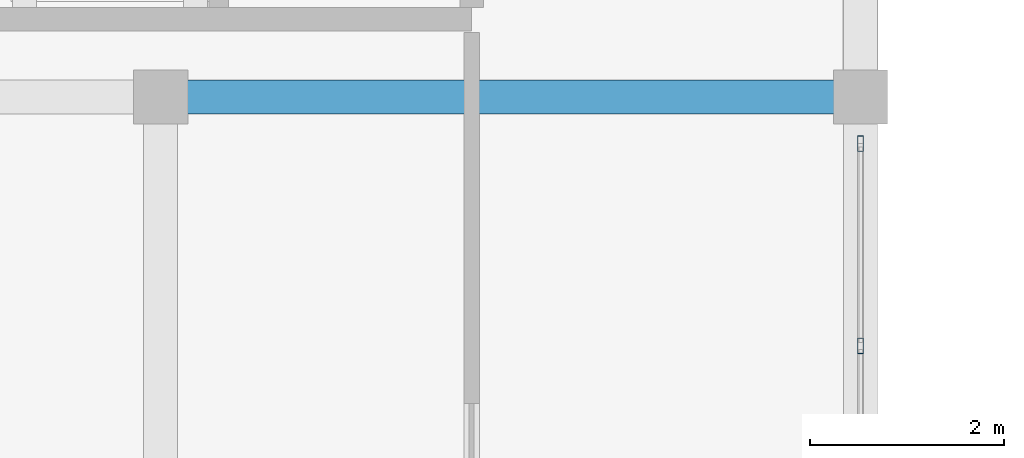
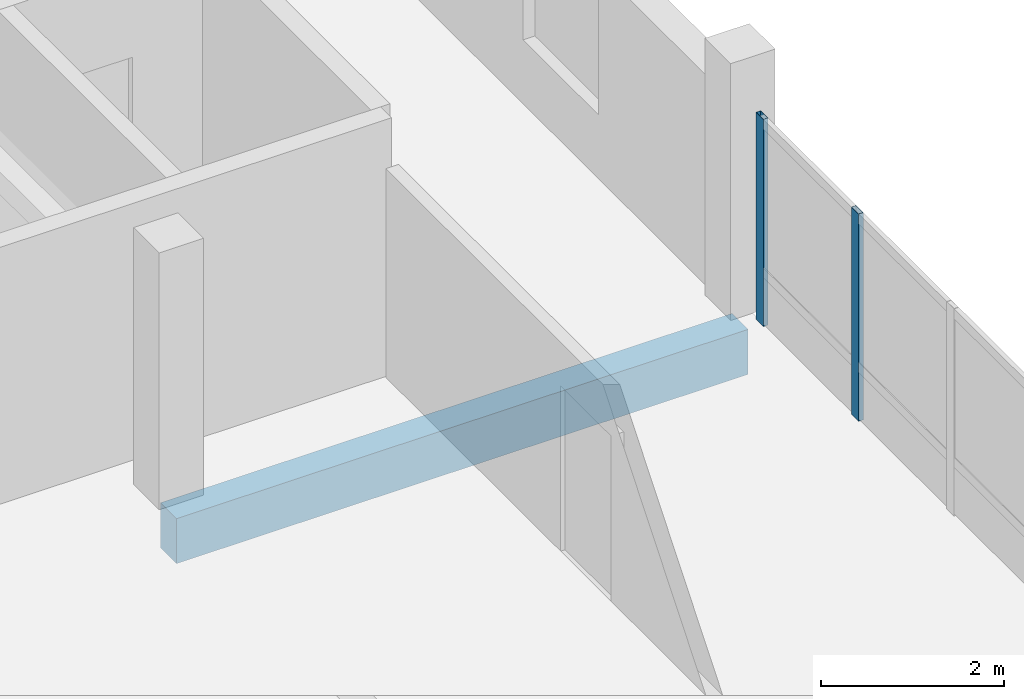
# One storey, part 13 of 66: 2 members, 1 beam, 1 element without a shape of its own.
"""IFC4 building model written with IfcOpenShell, lengths in metres."""

from ifc_helpers import new_model, si_unit, direction, frame, origin, origin_2d, place, context, subcontext, project, spatial, rectangle, hollow_rectangle, extrude, material, material_profile, profile_set, type_object, element, aggregate, save


model = new_model("IFC4")

# Units and contexts
model_context = context("Model", 3, precision=1e-05, world=origin(), true_north=direction((0.0, 1.0)))
body_context = subcontext(model_context, "Body", "Model", "MODEL_VIEW")
ifc_project = project(units=[si_unit("LENGTHUNIT", "METRE"), si_unit("AREAUNIT", "SQUARE_METRE"), si_unit("VOLUMEUNIT", "CUBIC_METRE"), si_unit("PLANEANGLEUNIT", "RADIAN"), si_unit("MASSUNIT", "GRAM", prefix="KILO")], contexts=[model_context])

# Site, building, storey
site_placement = place(None, origin())
site = spatial("IfcSite", under=ifc_project, at=site_placement, CompositionType="ELEMENT")
building_placement = place(site_placement, origin())
building = spatial("IfcBuilding", under=site, at=building_placement, Name="Zornivar Specialist Clinic", CompositionType="ELEMENT")
storey_placement = place(building_placement, frame((0.0, 0.0, 16.0)))
storey = spatial("IfcBuildingStorey", under=building, at=storey_placement, Name="L04", CompositionType="ELEMENT", Elevation=16.0)

# Beam
ifc_material_1 = material(Name="Concrete C30/37", Category="concrete")
ifc_material_profile_1 = material_profile(ifc_material_1, rectangle(XDim=0.35009765625, YDim=0.60009765625, at=origin_2d()), Name="RC 350x600")
ifc_profile_set_1 = profile_set([ifc_material_profile_1], Name="Concrete C30/37")
beam_type = type_object("IfcBeamType", Name="BM-RC-350x600", PredefinedType="BEAM", material=ifc_profile_set_1)
beam_placement = place(storey_placement, frame((7.199951171875, 36.0, -0.580078125), z_axis=(1.0, 0.0, 0.0), x_axis=(0.0, 1.0, 0.0)))
element("IfcBeam", 1, at=beam_placement, inside=storey, type_object=beam_type, Name="bm:V2:L04:x:360:1", PredefinedType="BEAM", context=body_context, shape_type="SweptSolid", body=[
    extrude(rectangle(XDim=0.35009765625, YDim=0.60009765625, at=origin_2d()), origin(), (0.0, 0.0, 1.0), 7.199951171875),
])

# Curtain wall, members
ifc_material_2 = material(Name="Aluminium and Low-E Glass Curtain Wall", Category="aluminium")
curtain_wall_type = type_object("IfcCurtainWallType", Name="CW-REVAK-COURT", PredefinedType="NOTDEFINED", material=ifc_material_2)
curtain_wall_placement = place(storey_placement, origin())
curtain_wall = element("IfcCurtainWall", 2, at=curtain_wall_placement, inside=storey, type_object=curtain_wall_type, Name="cw:V2:L04:14", PredefinedType="NOTDEFINED")
ifc_material_3 = material(Name="Aluminium AW-6060", Category="aluminium")
ifc_material_profile_2 = material_profile(ifc_material_3, hollow_rectangle(XDim=0.06005859375, YDim=0.159912109375, WallThickness=0.00390625, at=origin_2d()), Name="ALU 60x160x4")
ifc_profile_set_2 = profile_set([ifc_material_profile_2], Name="Aluminium AW-6060")
member_type = type_object("IfcMemberType", Name="CWM-MUL-160", PredefinedType="MULLION", material=ifc_profile_set_2)
member_1_placement = place(storey_placement, frame((14.39990234375, 33.43994140625, 0.0), z_axis=(0.0, 0.0, 1.0), x_axis=(1.0, 0.0, 0.0)))
member_1 = element("IfcMember", 3, at=member_1_placement, type_object=member_type, Name="cw:V2:L04:14:mul:2", PredefinedType="MULLION", context=body_context, shape_type="SweptSolid", body=[
    extrude(hollow_rectangle(XDim=0.06005859375, YDim=0.159912109375, WallThickness=0.00390625, at=origin_2d()), origin(), (0.0, 0.0, 1.0), 2.760009765625),
])
member_2_placement = place(storey_placement, frame((14.39990234375, 35.52001953125, 0.0), z_axis=(0.0, 0.0, 1.0), x_axis=(1.0, 0.0, 0.0)))
member_2 = element("IfcMember", 4, at=member_2_placement, type_object=member_type, Name="cw:V2:L04:14:mul:3", PredefinedType="MULLION", context=body_context, shape_type="SweptSolid", body=[
    extrude(hollow_rectangle(XDim=0.06005859375, YDim=0.159912109375, WallThickness=0.00390625, at=origin_2d()), origin(), (0.0, 0.0, 1.0), 2.760009765625),
])
aggregate(curtain_wall, [member_1, member_2])

save(model, "model.ifc")
